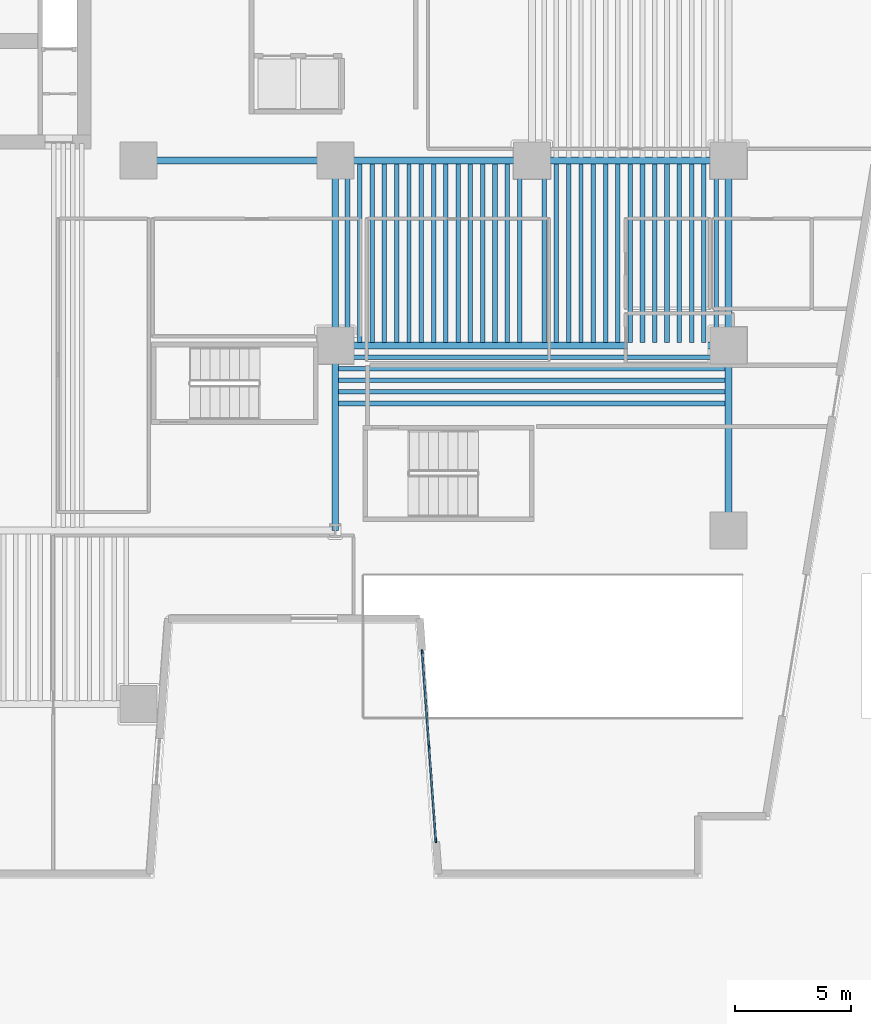
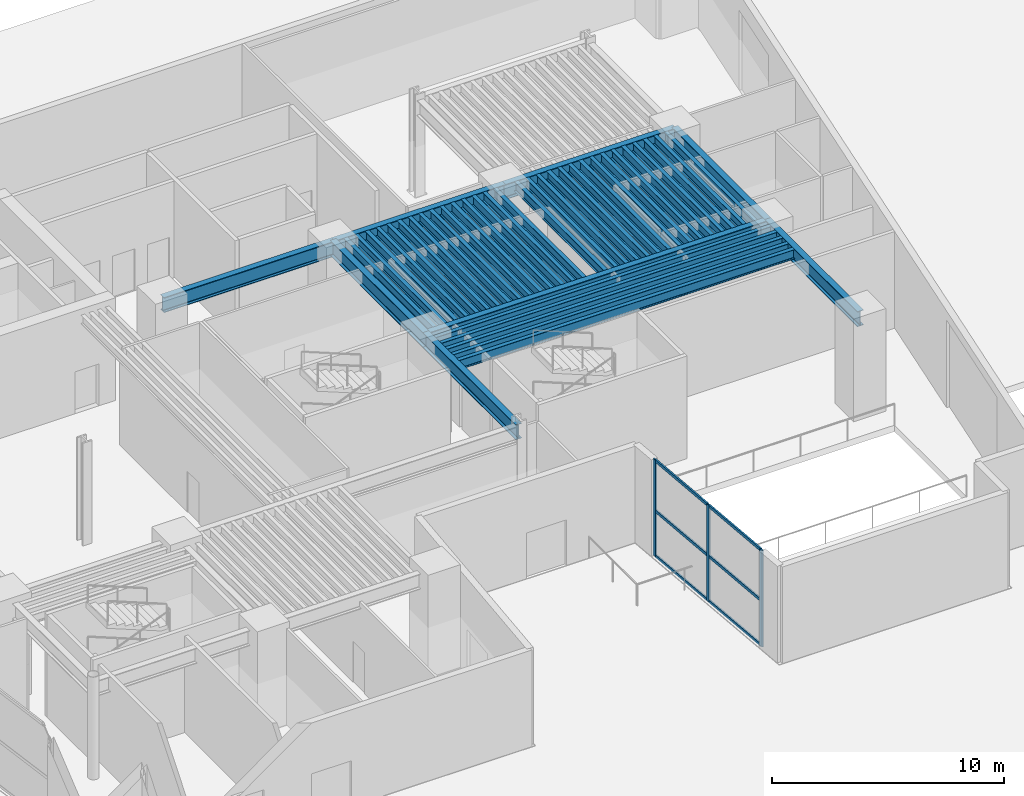
# One storey, part 5 of 18: 43 beams, 9 members, 1 element without a shape of its own.
"""IFC4 building model written with IfcOpenShell, lengths in metres."""

from ifc_helpers import new_model, si_unit, direction, frame, origin, origin_2d, place, context, subcontext, project, spatial, rectangle, i_section, extrude, material, layer, layer_set, material_profile, profile_set, type_object, element, aggregate, save


model = new_model("IFC4")

# Units and contexts
model_context = context("Model", 3, precision=1e-05, world=origin(), true_north=direction((0.0, 1.0)))
body_context = subcontext(model_context, "Body", "Model", "MODEL_VIEW")
ifc_project = project(units=[si_unit("LENGTHUNIT", "METRE"), si_unit("AREAUNIT", "SQUARE_METRE"), si_unit("VOLUMEUNIT", "CUBIC_METRE"), si_unit("PLANEANGLEUNIT", "RADIAN"), si_unit("MASSUNIT", "GRAM", prefix="KILO")], contexts=[model_context])

# Site, building, storey
site_placement = place(None, origin())
site = spatial("IfcSite", under=ifc_project, at=site_placement, CompositionType="ELEMENT")
building_placement = place(site_placement, origin())
building = spatial("IfcBuilding", under=site, at=building_placement, Name="Caeloran Harvest Quay", CompositionType="ELEMENT")
storey_placement = place(building_placement, origin())
storey = spatial("IfcBuildingStorey", under=building, at=storey_placement, Name="L01", CompositionType="ELEMENT", Elevation=0.0)

# Beams
ifc_material_1 = material(Name="Steel S355J2", Category="steel")
ifc_material_profile_1 = material_profile(ifc_material_1, i_section(OverallWidth=0.300048828125, OverallDepth=0.800048828125, WebThickness=0.017578125, FlangeThickness=0.032958984375, FilletRadius=0.030029296875, at=origin_2d()), Name="HE 800 B")
ifc_profile_set_1 = profile_set([ifc_material_profile_1], Name="Steel S355J2")
beam_type_1 = type_object("IfcBeamType", Name="BM-PG-1-HE_800_B", PredefinedType="BEAM", material=ifc_profile_set_1)
beam_placement = place(storey_placement, frame((34.0, 23.0, 4.679931640625), z_axis=(1.0, 0.0, 0.0), x_axis=(0.0, 1.0, 0.0)))
element("IfcBeam", 1, at=beam_placement, inside=storey, type_object=beam_type_1, Name="L01 Primary East-West Girder Y=23.0", PredefinedType="BEAM", context=body_context, shape_type="SweptSolid", body=[
    extrude(i_section(OverallWidth=0.300048828125, OverallDepth=0.800048828125, WebThickness=0.017578125, FlangeThickness=0.032958984375, FilletRadius=0.030029296875, at=origin_2d()), origin(), (0.0, 0.0, 1.0), 17.0),
])
for number, where, z_axis, x_axis, name in (
    (2, (25.5, 31.0, 4.679931640625), (1.0, 0.0, 0.0), (0.0, 1.0, 0.0), "L01 Primary East-West Girder Y=31.0"),
    (3, (34.0, 31.0, 4.679931640625), (1.0, 0.0, 0.0), (0.0, 1.0, 0.0), "L01 Primary East-West Girder Y=31.0"),
    (4, (42.5, 31.0, 4.679931640625), (1.0, 0.0, 0.0), (0.0, 1.0, 0.0), "L01 Primary East-West Girder Y=31.0"),
):
    element("IfcBeam", number, at=place(storey_placement, frame(where, z_axis=z_axis, x_axis=x_axis)), inside=storey, type_object=beam_type_1, Name=name, PredefinedType="BEAM", context=body_context, shape_type="SweptSolid", body=[
        extrude(i_section(OverallWidth=0.300048828125, OverallDepth=0.800048828125, WebThickness=0.017578125, FlangeThickness=0.032958984375, FilletRadius=0.030029296875, at=origin_2d()), origin(), (0.0, 0.0, 1.0), 8.5),
    ])
for number, where, z_axis, x_axis, name in (
    (5, (34.0, 15.0, 4.679931640625), (0.0, 1.0, 0.0), (-1.0, 0.0, 0.0), "L01 Primary North-South Girder X=34.0"),
    (6, (34.0, 23.0, 4.679931640625), (0.0, 1.0, 0.0), (-1.0, 0.0, 0.0), "L01 Primary North-South Girder X=34.0"),
    (7, (51.0, 15.0, 4.679931640625), (0.0, 1.0, 0.0), (-1.0, 0.0, 0.0), "L01 Primary North-South Girder X=51.0"),
    (8, (51.0, 23.0, 4.679931640625), (0.0, 1.0, 0.0), (-1.0, 0.0, 0.0), "L01 Primary North-South Girder X=51.0"),
):
    element("IfcBeam", number, at=place(storey_placement, frame(where, z_axis=z_axis, x_axis=x_axis)), inside=storey, type_object=beam_type_1, Name=name, PredefinedType="BEAM", context=body_context, shape_type="SweptSolid", body=[
        extrude(i_section(OverallWidth=0.300048828125, OverallDepth=0.800048828125, WebThickness=0.017578125, FlangeThickness=0.032958984375, FilletRadius=0.030029296875, at=origin_2d()), origin(), (0.0, 0.0, 1.0), 8.0),
    ])
ifc_material_profile_2 = material_profile(ifc_material_1, i_section(OverallWidth=0.199951171875, OverallDepth=0.5, WebThickness=0.01025390625, FlangeThickness=0.01611328125, FilletRadius=0.02099609375, at=origin_2d()), Name="IPE 500")
ifc_profile_set_2 = profile_set([ifc_material_profile_2], Name="Steel S355J2")
beam_type_2 = type_object("IfcBeamType", Name="BM-SB-2-IPE_500", PredefinedType="JOIST", material=ifc_profile_set_2)
for number, where, z_axis, x_axis, name in (
    (9, (34.53125, 23.14501953125, 4.830078125), (0.0, 1.0, 0.0), (-1.0, 0.0, 0.0), "L01 Secondary Composite Joist"),
    (10, (35.59375, 23.14501953125, 4.830078125), (0.0, 1.0, 0.0), (-1.0, 0.0, 0.0), "L01 Secondary Composite Joist"),
    (11, (36.65625, 23.14501953125, 4.830078125), (0.0, 1.0, 0.0), (-1.0, 0.0, 0.0), "L01 Secondary Composite Joist"),
    (12, (37.71875, 23.14501953125, 4.830078125), (0.0, 1.0, 0.0), (-1.0, 0.0, 0.0), "L01 Secondary Composite Joist"),
    (13, (38.78125, 23.14501953125, 4.830078125), (0.0, 1.0, 0.0), (-1.0, 0.0, 0.0), "L01 Secondary Composite Joist"),
    (14, (39.84375, 23.14501953125, 4.830078125), (0.0, 1.0, 0.0), (-1.0, 0.0, 0.0), "L01 Secondary Composite Joist"),
    (15, (40.90625, 23.14501953125, 4.830078125), (0.0, 1.0, 0.0), (-1.0, 0.0, 0.0), "L01 Secondary Composite Joist"),
    (16, (41.96875, 23.14501953125, 4.830078125), (0.0, 1.0, 0.0), (-1.0, 0.0, 0.0), "L01 Secondary Composite Joist"),
    (17, (43.03125, 23.14501953125, 4.830078125), (0.0, 1.0, 0.0), (-1.0, 0.0, 0.0), "L01 Secondary Composite Joist"),
    (18, (44.09375, 23.14501953125, 4.830078125), (0.0, 1.0, 0.0), (-1.0, 0.0, 0.0), "L01 Secondary Composite Joist"),
    (19, (45.15625, 23.14501953125, 4.830078125), (0.0, 1.0, 0.0), (-1.0, 0.0, 0.0), "L01 Secondary Composite Joist"),
    (20, (46.21875, 23.14501953125, 4.830078125), (0.0, 1.0, 0.0), (-1.0, 0.0, 0.0), "L01 Secondary Composite Joist"),
    (21, (47.28125, 23.14501953125, 4.830078125), (0.0, 1.0, 0.0), (-1.0, 0.0, 0.0), "L01 Secondary Composite Joist"),
    (22, (48.34375, 23.14501953125, 4.830078125), (0.0, 1.0, 0.0), (-1.0, 0.0, 0.0), "L01 Secondary Composite Joist"),
    (23, (49.40625, 23.14501953125, 4.830078125), (0.0, 1.0, 0.0), (-1.0, 0.0, 0.0), "L01 Secondary Composite Joist"),
    (24, (50.46875, 23.14501953125, 4.830078125), (0.0, 1.0, 0.0), (-1.0, 0.0, 0.0), "L01 Secondary Composite Joist"),
):
    element("IfcBeam", number, at=place(storey_placement, frame(where, z_axis=z_axis, x_axis=x_axis)), inside=storey, type_object=beam_type_2, Name=name, PredefinedType="JOIST", context=body_context, shape_type="SweptSolid", body=[
        extrude(i_section(OverallWidth=0.199951171875, OverallDepth=0.5, WebThickness=0.01025390625, FlangeThickness=0.01611328125, FilletRadius=0.02099609375, at=origin_2d()), origin(), (0.0, 0.0, 1.0), 7.7099609375),
    ])
for number, where, z_axis, x_axis, name in (
    (25, (34.14501953125, 20.5, 4.830078125), (1.0, 0.0, 0.0), (0.0, 1.0, 0.0), "L01 Secondary East-West Composite Joist"),
    (26, (34.14501953125, 21.5, 4.830078125), (1.0, 0.0, 0.0), (0.0, 1.0, 0.0), "L01 Secondary East-West Composite Joist"),
    (27, (34.14501953125, 22.5, 4.830078125), (1.0, 0.0, 0.0), (0.0, 1.0, 0.0), "L01 Secondary East-West Composite Joist"),
):
    element("IfcBeam", number, at=place(storey_placement, frame(where, z_axis=z_axis, x_axis=x_axis)), inside=storey, type_object=beam_type_2, Name=name, PredefinedType="JOIST", context=body_context, shape_type="SweptSolid", body=[
        extrude(i_section(OverallWidth=0.199951171875, OverallDepth=0.5, WebThickness=0.01025390625, FlangeThickness=0.01611328125, FilletRadius=0.02099609375, at=origin_2d()), origin(), (0.0, 0.0, 1.0), 16.7099609375),
    ])
ifc_material_profile_3 = material_profile(ifc_material_1, i_section(OverallWidth=0.18994140625, OverallDepth=0.449951171875, WebThickness=0.009521484375, FlangeThickness=0.0146484375, FilletRadius=0.02099609375, at=origin_2d()), Name="IPE 450")
ifc_profile_set_3 = profile_set([ifc_material_profile_3], Name="Steel S355J2")
beam_type_3 = type_object("IfcBeamType", Name="BM-SB-3-IPE_450", PredefinedType="JOIST", material=ifc_profile_set_3)
for number, where, z_axis, x_axis, name in (
    (28, (35.0625, 23.14501953125, 4.85498046875), (0.0, 1.0, 0.0), (-1.0, 0.0, 0.0), "L01 Secondary Composite Joist"),
    (29, (36.125, 23.14501953125, 4.85498046875), (0.0, 1.0, 0.0), (-1.0, 0.0, 0.0), "L01 Secondary Composite Joist"),
    (30, (37.1875, 23.14501953125, 4.85498046875), (0.0, 1.0, 0.0), (-1.0, 0.0, 0.0), "L01 Secondary Composite Joist"),
    (31, (38.25, 23.14501953125, 4.85498046875), (0.0, 1.0, 0.0), (-1.0, 0.0, 0.0), "L01 Secondary Composite Joist"),
    (32, (39.3125, 23.14501953125, 4.85498046875), (0.0, 1.0, 0.0), (-1.0, 0.0, 0.0), "L01 Secondary Composite Joist"),
    (33, (40.375, 23.14501953125, 4.85498046875), (0.0, 1.0, 0.0), (-1.0, 0.0, 0.0), "L01 Secondary Composite Joist"),
    (34, (41.4375, 23.14501953125, 4.85498046875), (0.0, 1.0, 0.0), (-1.0, 0.0, 0.0), "L01 Secondary Composite Joist"),
    (35, (43.5625, 23.14501953125, 4.85498046875), (0.0, 1.0, 0.0), (-1.0, 0.0, 0.0), "L01 Secondary Composite Joist"),
    (36, (44.625, 23.14501953125, 4.85498046875), (0.0, 1.0, 0.0), (-1.0, 0.0, 0.0), "L01 Secondary Composite Joist"),
    (37, (45.6875, 23.14501953125, 4.85498046875), (0.0, 1.0, 0.0), (-1.0, 0.0, 0.0), "L01 Secondary Composite Joist"),
    (38, (46.75, 23.14501953125, 4.85498046875), (0.0, 1.0, 0.0), (-1.0, 0.0, 0.0), "L01 Secondary Composite Joist"),
    (39, (47.8125, 23.14501953125, 4.85498046875), (0.0, 1.0, 0.0), (-1.0, 0.0, 0.0), "L01 Secondary Composite Joist"),
    (40, (48.875, 23.14501953125, 4.85498046875), (0.0, 1.0, 0.0), (-1.0, 0.0, 0.0), "L01 Secondary Composite Joist"),
    (41, (49.9375, 23.14501953125, 4.85498046875), (0.0, 1.0, 0.0), (-1.0, 0.0, 0.0), "L01 Secondary Composite Joist"),
):
    element("IfcBeam", number, at=place(storey_placement, frame(where, z_axis=z_axis, x_axis=x_axis)), inside=storey, type_object=beam_type_3, Name=name, PredefinedType="JOIST", context=body_context, shape_type="SweptSolid", body=[
        extrude(i_section(OverallWidth=0.18994140625, OverallDepth=0.449951171875, WebThickness=0.009521484375, FlangeThickness=0.0146484375, FilletRadius=0.02099609375, at=origin_2d()), origin(), (0.0, 0.0, 1.0), 7.7099609375),
    ])
for number, where, z_axis, x_axis, name in (
    (42, (34.14501953125, 21.0, 4.85498046875), (1.0, 0.0, 0.0), (0.0, 1.0, 0.0), "L01 Secondary East-West Composite Joist"),
    (43, (34.14501953125, 22.0, 4.85498046875), (1.0, 0.0, 0.0), (0.0, 1.0, 0.0), "L01 Secondary East-West Composite Joist"),
):
    element("IfcBeam", number, at=place(storey_placement, frame(where, z_axis=z_axis, x_axis=x_axis)), inside=storey, type_object=beam_type_3, Name=name, PredefinedType="JOIST", context=body_context, shape_type="SweptSolid", body=[
        extrude(i_section(OverallWidth=0.18994140625, OverallDepth=0.449951171875, WebThickness=0.009521484375, FlangeThickness=0.0146484375, FilletRadius=0.02099609375, at=origin_2d()), origin(), (0.0, 0.0, 1.0), 16.7099609375),
    ])

# Curtain wall, members
ifc_material_2 = material(Name="Aluminium 6063-T6 and Low-E Glazing", Category="aluminium")
ifc_layer = layer(ifc_material_2, 0.179931640625, Name="Aluminium 6063-T6 and Low-E Glazing")
ifc_layer_set = layer_set([ifc_layer], Name="Aluminium 6063-T6 and Low-E Glazing")
curtain_wall_type = type_object("IfcCurtainWallType", Name="CW-SYS-CW-1", PredefinedType="USERDEFINED", material=ifc_layer_set)
curtain_wall_placement = place(storey_placement, origin())
curtain_wall = element("IfcCurtainWall", 44, at=curtain_wall_placement, inside=storey, type_object=curtain_wall_type, Name="L01 Unitised Curtain Wall CW-1 Run 13", ObjectType="CURTAIN_WALL", PredefinedType="USERDEFINED")
ifc_material_3 = material(Name="Aluminium 6063-T6", Category="aluminium")
ifc_material_profile_4 = material_profile(ifc_material_3, rectangle(XDim=0.080078125, YDim=0.179931640625, at=origin_2d()), Name="CW-MULLION-180")
ifc_profile_set_4 = profile_set([ifc_material_profile_4], Name="Aluminium 6063-T6")
member_type_1 = type_object("IfcMemberType", Name="CW-MULLION-180", PredefinedType="MULLION", material=ifc_profile_set_4)
member_1_placement = place(storey_placement, frame((38.3486328125, 1.59619140625, 0.0), z_axis=(0.0, 0.0, 1.0), x_axis=(-0.997385061295, -0.072270599173, 0.0)))
member_1 = element("IfcMember", 45, at=member_1_placement, type_object=member_type_1, Name="CW-1 mullion 1", PredefinedType="MULLION", context=body_context, shape_type="SweptSolid", body=[
    extrude(rectangle(XDim=0.080078125, YDim=0.179931640625, at=origin_2d()), origin(), (0.0, 0.0, 1.0), 5.080078125),
])
member_2_placement = place(storey_placement, frame((38.052734375, 5.679931640625, 0.0), z_axis=(0.0, 0.0, 1.0), x_axis=(-0.997385061295, -0.072270599173, 0.0)))
member_2 = element("IfcMember", 46, at=member_2_placement, type_object=member_type_1, Name="CW-1 mullion 2", PredefinedType="MULLION", context=body_context, shape_type="SweptSolid", body=[
    extrude(rectangle(XDim=0.080078125, YDim=0.179931640625, at=origin_2d()), origin(), (0.0, 0.0, 1.0), 5.080078125),
])
member_3_placement = place(storey_placement, frame((37.7568359375, 9.763671875, 0.0), z_axis=(0.0, 0.0, 1.0), x_axis=(-0.997385061295, -0.072270599173, 0.0)))
member_3 = element("IfcMember", 47, at=member_3_placement, type_object=member_type_1, Name="CW-1 mullion 3", PredefinedType="MULLION", context=body_context, shape_type="SweptSolid", body=[
    extrude(rectangle(XDim=0.080078125, YDim=0.179931640625, at=origin_2d()), origin(), (0.0, 0.0, 1.0), 5.080078125),
])
ifc_material_profile_5 = material_profile(ifc_material_3, rectangle(XDim=0.080078125, YDim=0.14990234375, at=origin_2d()), Name="CW-TRANSOM-150")
ifc_profile_set_5 = profile_set([ifc_material_profile_5], Name="Aluminium 6063-T6")
member_type_2 = type_object("IfcMemberType", Name="CW-TRANSOM-150", PredefinedType="USERDEFINED", material=ifc_profile_set_5)
member_4_placement = place(storey_placement, frame((38.345703125, 1.635986328125, 0.0400390625), z_axis=(-0.072245328201, 0.99738689211, 0.0), x_axis=(-0.99738689211, -0.072245328201, 0.0)))
member_4 = element("IfcMember", 48, at=member_4_placement, type_object=member_type_2, Name="CW-1 transom 1.1", ObjectType="TRANSOM", PredefinedType="USERDEFINED", context=body_context, shape_type="SweptSolid", body=[
    extrude(rectangle(XDim=0.080078125, YDim=0.14990234375, at=origin_2d()), origin(), (0.0, 0.0, 1.0), 4.0146484375),
])
member_5_placement = place(storey_placement, frame((38.345703125, 1.635986328125, 2.39990234375), z_axis=(-0.072245328201, 0.99738689211, 0.0), x_axis=(-0.99738689211, -0.072245328201, 0.0)))
member_5 = element("IfcMember", 49, at=member_5_placement, type_object=member_type_2, Name="CW-1 transom 1.2", ObjectType="TRANSOM", PredefinedType="USERDEFINED", context=body_context, shape_type="SweptSolid", body=[
    extrude(rectangle(XDim=0.080078125, YDim=0.14990234375, at=origin_2d()), origin(), (0.0, 0.0, 1.0), 4.0146484375),
])
member_6_placement = place(storey_placement, frame((38.345703125, 1.635986328125, 5.0400390625), z_axis=(-0.072245328201, 0.99738689211, 0.0), x_axis=(-0.99738689211, -0.072245328201, 0.0)))
member_6 = element("IfcMember", 50, at=member_6_placement, type_object=member_type_2, Name="CW-1 transom 1.3", ObjectType="TRANSOM", PredefinedType="USERDEFINED", context=body_context, shape_type="SweptSolid", body=[
    extrude(rectangle(XDim=0.080078125, YDim=0.14990234375, at=origin_2d()), origin(), (0.0, 0.0, 1.0), 4.0146484375),
])
member_7_placement = place(storey_placement, frame((38.0498046875, 5.7197265625, 0.0400390625), z_axis=(-0.072245328201, 0.99738689211, 0.0), x_axis=(-0.99738689211, -0.072245328201, 0.0)))
member_7 = element("IfcMember", 51, at=member_7_placement, type_object=member_type_2, Name="CW-1 transom 2.1", ObjectType="TRANSOM", PredefinedType="USERDEFINED", context=body_context, shape_type="SweptSolid", body=[
    extrude(rectangle(XDim=0.080078125, YDim=0.14990234375, at=origin_2d()), origin(), (0.0, 0.0, 1.0), 4.0146484375),
])
member_8_placement = place(storey_placement, frame((38.0498046875, 5.7197265625, 2.39990234375), z_axis=(-0.072245328201, 0.99738689211, 0.0), x_axis=(-0.99738689211, -0.072245328201, 0.0)))
member_8 = element("IfcMember", 52, at=member_8_placement, type_object=member_type_2, Name="CW-1 transom 2.2", ObjectType="TRANSOM", PredefinedType="USERDEFINED", context=body_context, shape_type="SweptSolid", body=[
    extrude(rectangle(XDim=0.080078125, YDim=0.14990234375, at=origin_2d()), origin(), (0.0, 0.0, 1.0), 4.0146484375),
])
member_9_placement = place(storey_placement, frame((38.0498046875, 5.7197265625, 5.0400390625), z_axis=(-0.072245328201, 0.99738689211, 0.0), x_axis=(-0.99738689211, -0.072245328201, 0.0)))
member_9 = element("IfcMember", 53, at=member_9_placement, type_object=member_type_2, Name="CW-1 transom 2.3", ObjectType="TRANSOM", PredefinedType="USERDEFINED", context=body_context, shape_type="SweptSolid", body=[
    extrude(rectangle(XDim=0.080078125, YDim=0.14990234375, at=origin_2d()), origin(), (0.0, 0.0, 1.0), 4.0146484375),
])
aggregate(curtain_wall, [member_1, member_2, member_3, member_4, member_5, member_6, member_7, member_8, member_9])

save(model, "model.ifc")
